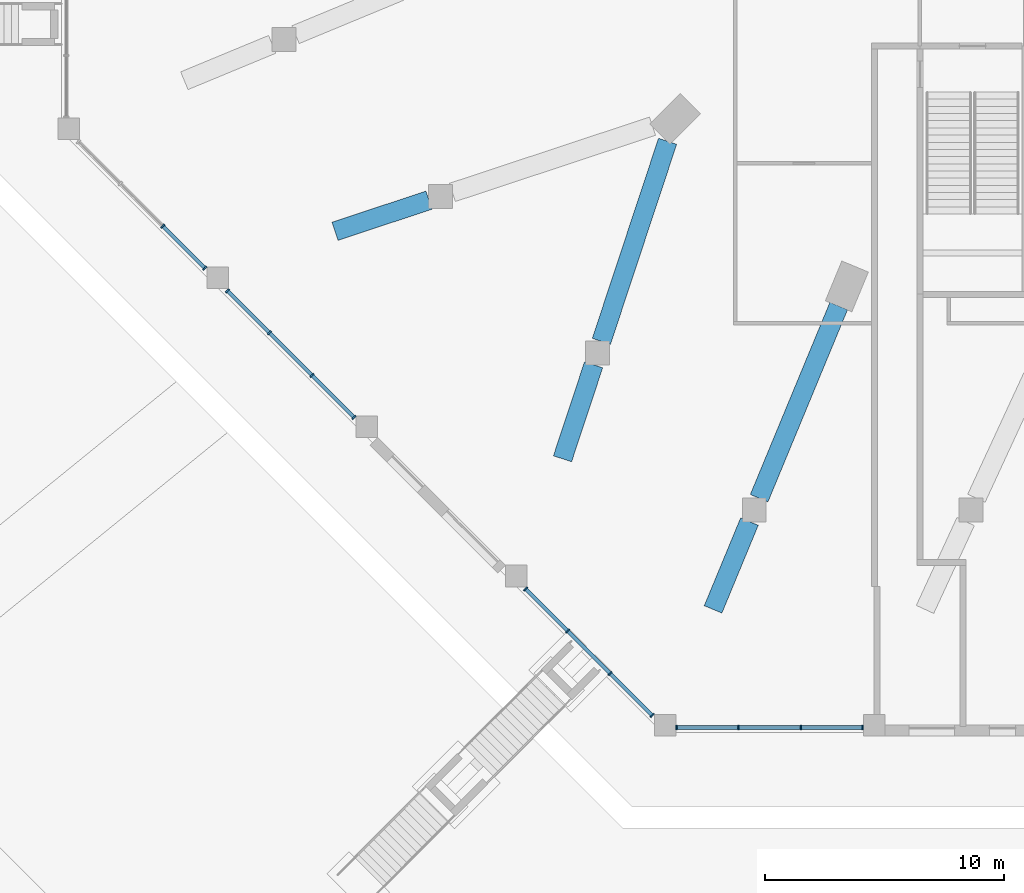
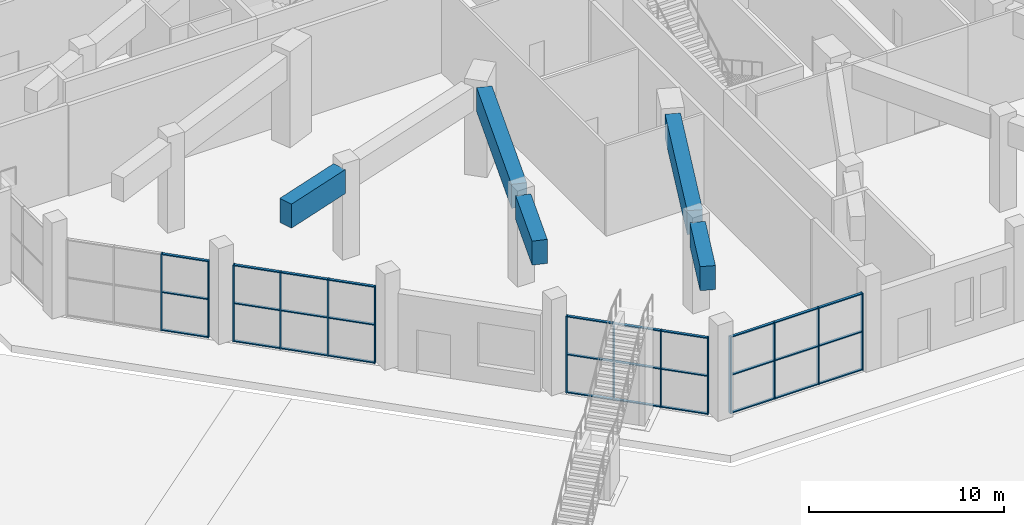
# One storey, part 2 of 36: 44 members, 5 beams, 4 elements without a shape of their own.
"""IFC4 building model written with IfcOpenShell, lengths in metres."""

import ifcopenshell
import ifcopenshell.guid

model = None  # the IFC model being written
_history = None  # IfcOwnerHistory: only IFC2X3 demands one
_inside = {}  # id of a spatial element -> (the spatial element, [elements in it])
_under = {}  # id of a project, library or spatial element -> (it, [spatial elements below it])
_declared = {}  # id of a project -> (the project, [libraries it declares])
_typed = {}  # id of a type object -> (the type object, [elements of that type])
_made_of = {}  # id of a material, layer set ... -> (it, [elements and type objects made of it])


def new_model(schema):
    """Start an empty IFC model of exactly this schema.

    Asked for "IFC4X3", IfcOpenShell would pick the latest addendum, in which some entities
    have other attributes; the version numbers below select the first issue.
    IFC2X3 requires an IfcOwnerHistory on every rooted entity: one is made here for all.
    """
    global model, _history
    if schema == "IFC4X3":
        model = ifcopenshell.file(schema_version=(4, 3, 0, 0))
    else:
        model = ifcopenshell.file(schema=schema)
    _inside.clear()
    _under.clear()
    _declared.clear()
    _typed.clear()
    _made_of.clear()
    _history = None
    if model.schema == "IFC2X3":
        org = make("IfcOrganization", Name="unknown")
        user = make(
            "IfcPersonAndOrganization",
            ThePerson=make("IfcPerson", FamilyName="unknown"),
            TheOrganization=org,
        )
        app = make(
            "IfcApplication",
            ApplicationDeveloper=org,
            Version="unknown",
            ApplicationFullName="unknown",
            ApplicationIdentifier="unknown",
        )
        _history = make(
            "IfcOwnerHistory",
            OwningUser=user,
            OwningApplication=app,
            ChangeAction="ADDED",
            CreationDate=0,
        )
    return model


def make(cls, **values):
    """One entity of the class cls with the attributes given. An attribute that is None is left unset."""
    return model.create_entity(
        cls, **{name: value for name, value in values.items() if value is not None}
    )


def rooted(cls, **values):
    """An entity with a GlobalId (a new one), such as an element, a storey or a relation."""
    return make(cls, GlobalId=ifcopenshell.guid.new(), OwnerHistory=_history, **values)


def si_unit(unit_type, name, prefix=None):
    """IfcSIUnit, for example si_unit("LENGTHUNIT", "METRE", prefix="MILLI")."""
    return make("IfcSIUnit", UnitType=unit_type, Prefix=prefix, Name=name)


def assignment(units):
    """IfcUnitAssignment: the units of a project."""
    return None if units is None else make("IfcUnitAssignment", Units=units)


def point(xyz):
    """IfcCartesianPoint."""
    return None if xyz is None else make("IfcCartesianPoint", Coordinates=xyz)


def direction(xyz):
    """IfcDirection."""
    return None if xyz is None else make("IfcDirection", DirectionRatios=xyz)


def frame(location, z_axis=None, x_axis=None):
    """IfcAxis2Placement3D, a coordinate frame: its origin and axes. An axis left out is left unset."""
    return make(
        "IfcAxis2Placement3D",
        Location=point(location),
        Axis=direction(z_axis),
        RefDirection=direction(x_axis),
    )


def frame_2d(location, x_axis=None):
    """IfcAxis2Placement2D, a coordinate frame in the plane: its origin and x axis."""
    return make(
        "IfcAxis2Placement2D", Location=point(location), RefDirection=direction(x_axis)
    )


def origin():
    """The frame at (0, 0, 0) with its axes left unset."""
    return frame((0.0, 0.0, 0.0))


def origin_2d():
    """The frame at (0, 0) in the plane with its x axis left unset."""
    return frame_2d((0.0, 0.0))


def place(relative_to, where):
    """IfcLocalPlacement: puts the frame where relative to a parent placement (None: the world)."""
    return make(
        "IfcLocalPlacement", PlacementRelTo=relative_to, RelativePlacement=where
    )


def context(
    kind, dimensions, precision=None, world=None, true_north=None, identifier=None
):
    """IfcGeometricRepresentationContext, for example the 3D "Model" context."""
    return make(
        "IfcGeometricRepresentationContext",
        ContextIdentifier=identifier,
        ContextType=kind,
        CoordinateSpaceDimension=dimensions,
        Precision=precision,
        WorldCoordinateSystem=world,
        TrueNorth=true_north,
    )


def subcontext(parent, identifier, kind, view, scale=None):
    """IfcGeometricRepresentationSubContext, for example "Body" below "Model"."""
    return make(
        "IfcGeometricRepresentationSubContext",
        ContextIdentifier=identifier,
        ContextType=kind,
        ParentContext=parent,
        TargetScale=scale,
        TargetView=view,
    )


def project(units=None, contexts=None):
    """IfcProject with its units and contexts."""
    return rooted(
        "IfcProject",
        Name="project",
        RepresentationContexts=contexts,
        UnitsInContext=assignment(units),
    )


def spatial(cls, under=None, at=None, **own):
    """A site, building, storey or space (cls), placed at a placement, below another one or the project."""
    s = rooted(cls, ObjectPlacement=at, **own)
    if under is not None:
        _under.setdefault(under.id(), (under, []))[1].append(s)
    return s


def profile(cls, at=None, kind="AREA", **sizes):
    """A parametric profile (cls). Its sizes go by their IFC names, for example OverallWidth=200.0."""
    return make(cls, ProfileType=kind, Position=at, **sizes)


def rectangle(**sizes):
    """IfcRectangleProfileDef."""
    return profile("IfcRectangleProfileDef", **sizes)


def extrude(swept, where, along, depth):
    """IfcExtrudedAreaSolid: the profile swept, set in the frame where, extruded along a direction by depth."""
    return make(
        "IfcExtrudedAreaSolid",
        SweptArea=swept,
        Position=where,
        ExtrudedDirection=direction(along),
        Depth=depth,
    )


def shape(context_of_items, identifier, shape_type, items):
    """IfcShapeRepresentation: the items that make up one representation, for example the "Body"."""
    return make(
        "IfcShapeRepresentation",
        ContextOfItems=context_of_items,
        RepresentationIdentifier=identifier,
        RepresentationType=shape_type,
        Items=items,
    )


def material(Name=None, Category=None):
    """IfcMaterial."""
    return make("IfcMaterial", Name=Name, Category=Category)


def material_profile(
    of_material, cross_section, Name=None, Category=None, Priority=None
):
    """IfcMaterialProfile: a cross section and its material."""
    return make(
        "IfcMaterialProfile",
        Name=Name,
        Material=of_material,
        Profile=cross_section,
        Priority=Priority,
        Category=Category,
    )


def profile_set(profiles, Name=None, composite=None):
    """IfcMaterialProfileSet."""
    return make(
        "IfcMaterialProfileSet",
        Name=Name,
        MaterialProfiles=profiles,
        CompositeProfile=composite,
    )


def made_of(thing, what):
    """Note that an element or type object is made of a material, layer set ...; save() writes the relation."""
    if what is not None:
        _made_of.setdefault(what.id(), (what, []))[1].append(thing)
    return thing


def type_object(cls, material=None, **own):
    """A type object (cls), such as IfcWallType, which elements share."""
    return made_of(rooted(cls, **own), material)


def element(
    cls,
    number,
    at=None,
    inside=None,
    cuts=None,
    type_object=None,
    material=None,
    context=None,
    identifier="Body",
    shape_type=None,
    held_by="IfcProductDefinitionShape",
    body=None,
    shapes=None,
    **own,
):
    """One element of the class cls, such as IfcWall. Its Tag is "e" and its number.

    at: its placement. inside: the storey or other place that contains it. cuts: it is an
    opening in that element (IfcRelVoidsElement). A single representation is given by context,
    identifier, shape_type and body (its items); several are given by shapes. held_by: the class
    of the entity that holds the representations. save() writes the other relations.
    """
    e = rooted(cls, Tag="e%d" % number, ObjectPlacement=at, **own)
    if body is not None:
        shapes = [shape(context, identifier, shape_type, body)]
    if shapes is not None:
        e.Representation = make(held_by, Representations=shapes)
    if inside is not None:
        _inside.setdefault(inside.id(), (inside, []))[1].append(e)
    if cuts is not None:
        rooted(
            "IfcRelVoidsElement", RelatingBuildingElement=cuts, RelatedOpeningElement=e
        )
    if type_object is not None:
        _typed.setdefault(type_object.id(), (type_object, []))[1].append(e)
    return made_of(e, material)


def aggregate(whole, parts):
    """IfcRelAggregates: a whole, such as a stair, and the parts it consists of."""
    return rooted("IfcRelAggregates", RelatingObject=whole, RelatedObjects=parts)


def save(model, path):
    """Write the relations noted so far, then the file.

    IfcRelAggregates (storeys below a building ...), IfcRelContainedInSpatialStructure (elements
    in a storey), IfcRelDefinesByType, IfcRelAssociatesMaterial and IfcRelDeclares: one each for
    every whole, place, type object, material and project.
    """
    for whole, parts in _under.values():
        aggregate(whole, parts)
    for where, things in _inside.values():
        rooted(
            "IfcRelContainedInSpatialStructure",
            RelatedElements=things,
            RelatingStructure=where,
        )
    for kind, things in _typed.values():
        rooted("IfcRelDefinesByType", RelatedObjects=things, RelatingType=kind)
    for what, things in _made_of.values():
        rooted("IfcRelAssociatesMaterial", RelatedObjects=things, RelatingMaterial=what)
    for by, libraries in _declared.values():
        rooted("IfcRelDeclares", RelatingContext=by, RelatedDefinitions=libraries)
    model.write(path)


model = new_model("IFC4")

# Units and contexts
model_context = context("Model", 3, precision=1e-05, world=origin(), true_north=direction((0.0, 1.0)))
body_context = subcontext(model_context, "Body", "Model", "MODEL_VIEW")
ifc_project = project(units=[si_unit("LENGTHUNIT", "METRE"), si_unit("AREAUNIT", "SQUARE_METRE"), si_unit("VOLUMEUNIT", "CUBIC_METRE"), si_unit("PLANEANGLEUNIT", "RADIAN"), si_unit("MASSUNIT", "GRAM", prefix="KILO")], contexts=[model_context])

# Site, building, storey
site_placement = place(None, origin())
site = spatial("IfcSite", under=ifc_project, at=site_placement, CompositionType="ELEMENT")
building_placement = place(site_placement, origin())
building = spatial("IfcBuilding", under=site, at=building_placement, Name="Msitu Wima Residences", CompositionType="ELEMENT")
storey_placement = place(building_placement, origin())
storey = spatial("IfcBuildingStorey", under=building, at=storey_placement, Name="L00", CompositionType="ELEMENT", Elevation=0.0)

# Curtain wall, members
ifc_material_1 = material(Name="Anodised aluminium, bronze finish, clear laminated low-emissivity double glazing", Category="aluminium")
curtain_wall_type = type_object("IfcCurtainWallType", Name="Curtain wall CW1 shopfront", PredefinedType="NOTDEFINED", material=ifc_material_1)
curtain_wall_1_placement = place(storey_placement, origin())
curtain_wall_1 = element("IfcCurtainWall", 1, at=curtain_wall_1_placement, inside=storey, type_object=curtain_wall_type, Name="Curtain wall CW1 L00 SW0", PredefinedType="NOTDEFINED")
ifc_material_2 = material(Name="Anodised aluminium, bronze finish", Category="aluminium")
ifc_material_profile_1 = material_profile(ifc_material_2, rectangle(XDim=0.199951171875, YDim=0.06494140625, at=origin_2d()), Name="Mullion 65x200")
ifc_profile_set_1 = profile_set([ifc_material_profile_1], Name="Anodised aluminium, bronze finish")
member_type_1 = type_object("IfcMemberType", Name="Mullion CW1 65x200", PredefinedType="MULLION", material=ifc_profile_set_1)
member_1_placement = place(storey_placement, frame((-42.86328125, -25.933837890625, 0.0), z_axis=(0.0, 0.0, 1.0), x_axis=(0.707106781187, 0.707106781187, 0.0)))
member_1 = element("IfcMember", 2, at=member_1_placement, type_object=member_type_1, Name="CW1 mullion 3", PredefinedType="MULLION", context=body_context, shape_type="SweptSolid", body=[
    extrude(rectangle(XDim=0.199951171875, YDim=0.06494140625, at=origin_2d()), origin(), (0.0, 0.0, 1.0), 4.800048828125),
])
member_2_placement = place(storey_placement, frame((-41.107666015625, -27.689697265625, 0.0), z_axis=(0.0, 0.0, 1.0), x_axis=(0.707106781187, 0.707106781187, 0.0)))
member_2 = element("IfcMember", 3, at=member_2_placement, type_object=member_type_1, Name="CW1 mullion 4", PredefinedType="MULLION", context=body_context, shape_type="SweptSolid", body=[
    extrude(rectangle(XDim=0.199951171875, YDim=0.06494140625, at=origin_2d()), origin(), (0.0, 0.0, 1.0), 4.800048828125),
])

curtain_wall_2_placement = place(storey_placement, origin())
curtain_wall_2 = element("IfcCurtainWall", 4, at=curtain_wall_2_placement, inside=storey, type_object=curtain_wall_type, Name="Curtain wall CW1 L00 SW1", PredefinedType="NOTDEFINED")
member_3_placement = place(storey_placement, frame((-40.16162109375, -28.635498046875, 0.0), z_axis=(0.0, 0.0, 1.0), x_axis=(0.707106781187, 0.707106781187, 0.0)))
member_3 = element("IfcMember", 5, at=member_3_placement, type_object=member_type_1, Name="CW1 mullion 1", PredefinedType="MULLION", context=body_context, shape_type="SweptSolid", body=[
    extrude(rectangle(XDim=0.199951171875, YDim=0.06494140625, at=origin_2d()), origin(), (0.0, 0.0, 1.0), 4.800048828125),
])
member_4_placement = place(storey_placement, frame((-38.406005859375, -30.391357421875, 0.0), z_axis=(0.0, 0.0, 1.0), x_axis=(0.707106781187, 0.707106781187, 0.0)))
member_4 = element("IfcMember", 6, at=member_4_placement, type_object=member_type_1, Name="CW1 mullion 2", PredefinedType="MULLION", context=body_context, shape_type="SweptSolid", body=[
    extrude(rectangle(XDim=0.199951171875, YDim=0.06494140625, at=origin_2d()), origin(), (0.0, 0.0, 1.0), 4.800048828125),
])
member_5_placement = place(storey_placement, frame((-36.627197265625, -32.169921875, 0.0), z_axis=(0.0, 0.0, 1.0), x_axis=(0.707106781187, 0.707106781187, 0.0)))
member_5 = element("IfcMember", 7, at=member_5_placement, type_object=member_type_1, Name="CW1 mullion 3", PredefinedType="MULLION", context=body_context, shape_type="SweptSolid", body=[
    extrude(rectangle(XDim=0.199951171875, YDim=0.06494140625, at=origin_2d()), origin(), (0.0, 0.0, 1.0), 4.800048828125),
])
member_6_placement = place(storey_placement, frame((-34.87158203125, -33.925537109375, 0.0), z_axis=(0.0, 0.0, 1.0), x_axis=(0.707106781187, 0.707106781187, 0.0)))
member_6 = element("IfcMember", 8, at=member_6_placement, type_object=member_type_1, Name="CW1 mullion 4", PredefinedType="MULLION", context=body_context, shape_type="SweptSolid", body=[
    extrude(rectangle(XDim=0.199951171875, YDim=0.06494140625, at=origin_2d()), origin(), (0.0, 0.0, 1.0), 4.800048828125),
])

curtain_wall_3_placement = place(storey_placement, origin())
curtain_wall_3 = element("IfcCurtainWall", 9, at=curtain_wall_3_placement, inside=storey, type_object=curtain_wall_type, Name="Curtain wall CW1 L00 SW3", PredefinedType="NOTDEFINED")
member_7_placement = place(storey_placement, frame((-27.689697265625, -41.107666015625, 0.0), z_axis=(0.0, 0.0, 1.0), x_axis=(0.707106714926, 0.707106847447, 0.0)))
member_7 = element("IfcMember", 10, at=member_7_placement, type_object=member_type_1, Name="CW1 mullion 1", PredefinedType="MULLION", context=body_context, shape_type="SweptSolid", body=[
    extrude(rectangle(XDim=0.199951171875, YDim=0.06494140625, at=origin_2d()), origin(), (0.0, 0.0, 1.0), 4.800048828125),
])
member_8_placement = place(storey_placement, frame((-25.933837890625, -42.86328125, 0.0), z_axis=(0.0, 0.0, 1.0), x_axis=(0.707106714926, 0.707106847447, 0.0)))
member_8 = element("IfcMember", 11, at=member_8_placement, type_object=member_type_1, Name="CW1 mullion 2", PredefinedType="MULLION", context=body_context, shape_type="SweptSolid", body=[
    extrude(rectangle(XDim=0.199951171875, YDim=0.06494140625, at=origin_2d()), origin(), (0.0, 0.0, 1.0), 4.800048828125),
])
member_9_placement = place(storey_placement, frame((-24.1552734375, -44.64208984375, 0.0), z_axis=(0.0, 0.0, 1.0), x_axis=(0.707106714926, 0.707106847447, 0.0)))
member_9 = element("IfcMember", 12, at=member_9_placement, type_object=member_type_1, Name="CW1 mullion 3", PredefinedType="MULLION", context=body_context, shape_type="SweptSolid", body=[
    extrude(rectangle(XDim=0.199951171875, YDim=0.06494140625, at=origin_2d()), origin(), (0.0, 0.0, 1.0), 4.800048828125),
])
member_10_placement = place(storey_placement, frame((-22.3994140625, -46.397705078125, 0.0), z_axis=(0.0, 0.0, 1.0), x_axis=(0.707106714926, 0.707106847447, 0.0)))
member_10 = element("IfcMember", 13, at=member_10_placement, type_object=member_type_1, Name="CW1 mullion 4", PredefinedType="MULLION", context=body_context, shape_type="SweptSolid", body=[
    extrude(rectangle(XDim=0.199951171875, YDim=0.06494140625, at=origin_2d()), origin(), (0.0, 0.0, 1.0), 4.800048828125),
])

curtain_wall_4_placement = place(storey_placement, origin())
curtain_wall_4 = element("IfcCurtainWall", 14, at=curtain_wall_4_placement, inside=storey, type_object=curtain_wall_type, Name="Curtain wall CW1 L00 S0", PredefinedType="NOTDEFINED")
member_11_placement = place(storey_placement, frame((-21.373291015625, -46.89990234375, 0.0), z_axis=(0.0, 0.0, 1.0), x_axis=(0.0, 1.0, 0.0)))
member_11 = element("IfcMember", 15, at=member_11_placement, type_object=member_type_1, Name="CW1 mullion 1", PredefinedType="MULLION", context=body_context, shape_type="SweptSolid", body=[
    extrude(rectangle(XDim=0.199951171875, YDim=0.06494140625, at=origin_2d()), origin(), (0.0, 0.0, 1.0), 4.800048828125),
])
member_12_placement = place(storey_placement, frame((-18.791748046875, -46.89990234375, 0.0), z_axis=(0.0, 0.0, 1.0), x_axis=(0.0, 1.0, 0.0)))
member_12 = element("IfcMember", 16, at=member_12_placement, type_object=member_type_1, Name="CW1 mullion 2", PredefinedType="MULLION", context=body_context, shape_type="SweptSolid", body=[
    extrude(rectangle(XDim=0.199951171875, YDim=0.06494140625, at=origin_2d()), origin(), (0.0, 0.0, 1.0), 4.800048828125),
])
member_13_placement = place(storey_placement, frame((-16.177734375, -46.89990234375, 0.0), z_axis=(0.0, 0.0, 1.0), x_axis=(0.0, 1.0, 0.0)))
member_13 = element("IfcMember", 17, at=member_13_placement, type_object=member_type_1, Name="CW1 mullion 3", PredefinedType="MULLION", context=body_context, shape_type="SweptSolid", body=[
    extrude(rectangle(XDim=0.199951171875, YDim=0.06494140625, at=origin_2d()), origin(), (0.0, 0.0, 1.0), 4.800048828125),
])
member_14_placement = place(storey_placement, frame((-13.595947265625, -46.89990234375, 0.0), z_axis=(0.0, 0.0, 1.0), x_axis=(0.0, 1.0, 0.0)))
member_14 = element("IfcMember", 18, at=member_14_placement, type_object=member_type_1, Name="CW1 mullion 4", PredefinedType="MULLION", context=body_context, shape_type="SweptSolid", body=[
    extrude(rectangle(XDim=0.199951171875, YDim=0.06494140625, at=origin_2d()), origin(), (0.0, 0.0, 1.0), 4.800048828125),
])

# Beams
ifc_material_3 = material(Name="Concrete C60/75", Category="concrete")
ifc_material_profile_2 = material_profile(ifc_material_3, rectangle(XDim=0.800048828125, YDim=1.5, at=origin_2d()), Name="RC 800x1500")
ifc_profile_set_2 = profile_set([ifc_material_profile_2], Name="Concrete C60/75")
beam_type_1 = type_object("IfcBeamType", Name="Podium cantilever girder RC 800x1500 Concrete C60/75", PredefinedType="BEAM", material=ifc_profile_set_2)
beam_1_placement = place(storey_placement, frame((-21.753662109375, -22.3857421875, 4.89990234375), z_axis=(-0.314216293001, -0.949351421347, 0.0), x_axis=(0.949351421347, -0.314216293001, 0.0)))
element("IfcBeam", 19, at=beam_1_placement, inside=storey, type_object=beam_type_1, Name="Podium cantilever girder L01 C-SW2 back-span", PredefinedType="BEAM", context=body_context, shape_type="SweptSolid", body=[
    extrude(rectangle(XDim=0.800048828125, YDim=1.5, at=origin_2d()), origin(), (0.0, 0.0, 1.0), 8.81494140625),
])
beam_2_placement = place(storey_placement, frame((-14.5966796875, -29.274658203125, 4.89990234375), z_axis=(-0.382667433171, -0.923886159432, 0.0), x_axis=(0.923886159432, -0.382667433171, 0.0)))
element("IfcBeam", 20, at=beam_2_placement, inside=storey, type_object=beam_type_1, Name="Podium cantilever girder L01 C-S0 back-span", PredefinedType="BEAM", context=body_context, shape_type="SweptSolid", body=[
    extrude(rectangle(XDim=0.800048828125, YDim=1.5, at=origin_2d()), origin(), (0.0, 0.0, 1.0), 8.698486328125),
])
ifc_material_profile_3 = material_profile(ifc_material_3, rectangle(XDim=0.800048828125, YDim=1.5, at=origin_2d()), Name="RC 800x1500")
ifc_profile_set_3 = profile_set([ifc_material_profile_3], Name="Concrete C60/75")
beam_type_2 = type_object("IfcBeamType", Name="Podium cantilever girder tip RC 800x1500 Concrete C60/75", PredefinedType="BEAM", material=ifc_profile_set_3)
for number, where, z_axis, x_axis, name in (
    (21, (-31.731201171875, -24.846923828125, 4.89990234375), (-0.949335494169, -0.314264410189, 0.0), (0.314264410189, -0.949335494169, 0.0), "Podium cantilever girder L01 C-SW1 cantilever"),
    (22, (-24.846923828125, -31.731201171875, 4.89990234375), (-0.314264410189, -0.949335494169, 0.0), (0.949335494169, -0.314264410189, 0.0), "Podium cantilever girder L01 C-SW2 cantilever"),
):
    element("IfcBeam", number, at=place(storey_placement, frame(where, z_axis=z_axis, x_axis=x_axis)), inside=storey, type_object=beam_type_2, Name=name, PredefinedType="BEAM", context=body_context, shape_type="SweptSolid", body=[
        extrude(rectangle(XDim=0.800048828125, YDim=1.5, at=origin_2d()), origin(), (0.0, 0.0, 1.0), 4.142333984375),
    ])
beam_3_placement = place(storey_placement, frame((-18.330322265625, -38.288818359375, 4.89990234375), z_axis=(-0.382704380924, -0.923870855056, 0.0), x_axis=(0.923870855056, -0.382704380924, 0.0)))
element("IfcBeam", 23, at=beam_3_placement, inside=storey, type_object=beam_type_2, Name="Podium cantilever girder L01 C-S0 cantilever", PredefinedType="BEAM", context=body_context, shape_type="SweptSolid", body=[
    extrude(rectangle(XDim=0.800048828125, YDim=1.5, at=origin_2d()), origin(), (0.0, 0.0, 1.0), 3.974853515625),
])

# Member
ifc_material_profile_4 = material_profile(ifc_material_2, rectangle(XDim=0.14990234375, YDim=0.06494140625, at=origin_2d()), Name="Transom 65x150")
ifc_profile_set_4 = profile_set([ifc_material_profile_4], Name="Anodised aluminium, bronze finish")
member_type_2 = type_object("IfcMemberType", Name="Transom CW1 65x150", PredefinedType="USERDEFINED", material=ifc_profile_set_4)
member_15_placement = place(storey_placement, frame((-42.84033203125, -25.956787109375, 0.032470703125), z_axis=(0.707056296999, -0.70715726177, 0.0), x_axis=(0.70715726177, 0.707056296999, 0.0)))
member_15 = element("IfcMember", 24, at=member_15_placement, type_object=member_type_2, Name="CW1 transom 3.1", ObjectType="TRANSOM", PredefinedType="USERDEFINED", context=body_context, shape_type="SweptSolid", body=[
    extrude(rectangle(XDim=0.14990234375, YDim=0.06494140625, at=origin_2d()), origin(), (0.0, 0.0, 1.0), 2.41796875),
])

member_16_placement = place(storey_placement, frame((-42.84033203125, -25.956787109375, 2.39990234375), z_axis=(0.707056296999, -0.70715726177, 0.0), x_axis=(0.70715726177, 0.707056296999, 0.0)))
member_16 = element("IfcMember", 25, at=member_16_placement, type_object=member_type_2, Name="CW1 transom 3.2", ObjectType="TRANSOM", PredefinedType="USERDEFINED", context=body_context, shape_type="SweptSolid", body=[
    extrude(rectangle(XDim=0.14990234375, YDim=0.06494140625, at=origin_2d()), origin(), (0.0, 0.0, 1.0), 2.41796875),
])

member_17_placement = place(storey_placement, frame((-42.84033203125, -25.956787109375, 4.767578125), z_axis=(0.707056296999, -0.70715726177, 0.0), x_axis=(0.70715726177, 0.707056296999, 0.0)))
member_17 = element("IfcMember", 26, at=member_17_placement, type_object=member_type_2, Name="CW1 transom 3.3", ObjectType="TRANSOM", PredefinedType="USERDEFINED", context=body_context, shape_type="SweptSolid", body=[
    extrude(rectangle(XDim=0.14990234375, YDim=0.06494140625, at=origin_2d()), origin(), (0.0, 0.0, 1.0), 2.41796875),
])

aggregate(curtain_wall_1, [member_1, member_2, member_15, member_16, member_17])

member_18_placement = place(storey_placement, frame((-40.138671875, -28.658447265625, 0.032470703125), z_axis=(0.707056296999, -0.70715726177, 0.0), x_axis=(0.70715726177, 0.707056296999, 0.0)))
member_18 = element("IfcMember", 27, at=member_18_placement, type_object=member_type_2, Name="CW1 transom 1.1", ObjectType="TRANSOM", PredefinedType="USERDEFINED", context=body_context, shape_type="SweptSolid", body=[
    extrude(rectangle(XDim=0.14990234375, YDim=0.06494140625, at=origin_2d()), origin(), (0.0, 0.0, 1.0), 2.41796875),
])

member_19_placement = place(storey_placement, frame((-40.138671875, -28.658447265625, 2.39990234375), z_axis=(0.707056296999, -0.70715726177, 0.0), x_axis=(0.70715726177, 0.707056296999, 0.0)))
member_19 = element("IfcMember", 28, at=member_19_placement, type_object=member_type_2, Name="CW1 transom 1.2", ObjectType="TRANSOM", PredefinedType="USERDEFINED", context=body_context, shape_type="SweptSolid", body=[
    extrude(rectangle(XDim=0.14990234375, YDim=0.06494140625, at=origin_2d()), origin(), (0.0, 0.0, 1.0), 2.41796875),
])

member_20_placement = place(storey_placement, frame((-40.138671875, -28.658447265625, 4.767578125), z_axis=(0.707056296999, -0.70715726177, 0.0), x_axis=(0.70715726177, 0.707056296999, 0.0)))
member_20 = element("IfcMember", 29, at=member_20_placement, type_object=member_type_2, Name="CW1 transom 1.3", ObjectType="TRANSOM", PredefinedType="USERDEFINED", context=body_context, shape_type="SweptSolid", body=[
    extrude(rectangle(XDim=0.14990234375, YDim=0.06494140625, at=origin_2d()), origin(), (0.0, 0.0, 1.0), 2.41796875),
])

member_21_placement = place(storey_placement, frame((-38.383056640625, -30.414306640625, 0.032470703125), z_axis=(0.707106781187, -0.707106781187, 0.0), x_axis=(0.707106781187, 0.707106781187, 0.0)))
member_21 = element("IfcMember", 30, at=member_21_placement, type_object=member_type_2, Name="CW1 transom 2.1", ObjectType="TRANSOM", PredefinedType="USERDEFINED", context=body_context, shape_type="SweptSolid", body=[
    extrude(rectangle(XDim=0.14990234375, YDim=0.06494140625, at=origin_2d()), origin(), (0.0, 0.0, 1.0), 2.450439453125),
])

member_22_placement = place(storey_placement, frame((-38.383056640625, -30.414306640625, 2.39990234375), z_axis=(0.707106781187, -0.707106781187, 0.0), x_axis=(0.707106781187, 0.707106781187, 0.0)))
member_22 = element("IfcMember", 31, at=member_22_placement, type_object=member_type_2, Name="CW1 transom 2.2", ObjectType="TRANSOM", PredefinedType="USERDEFINED", context=body_context, shape_type="SweptSolid", body=[
    extrude(rectangle(XDim=0.14990234375, YDim=0.06494140625, at=origin_2d()), origin(), (0.0, 0.0, 1.0), 2.450439453125),
])

member_23_placement = place(storey_placement, frame((-38.383056640625, -30.414306640625, 4.767578125), z_axis=(0.707106781187, -0.707106781187, 0.0), x_axis=(0.707106781187, 0.707106781187, 0.0)))
member_23 = element("IfcMember", 32, at=member_23_placement, type_object=member_type_2, Name="CW1 transom 2.3", ObjectType="TRANSOM", PredefinedType="USERDEFINED", context=body_context, shape_type="SweptSolid", body=[
    extrude(rectangle(XDim=0.14990234375, YDim=0.06494140625, at=origin_2d()), origin(), (0.0, 0.0, 1.0), 2.450439453125),
])

member_24_placement = place(storey_placement, frame((-36.604248046875, -32.19287109375, 0.032470703125), z_axis=(0.707106781187, -0.707106781187, 0.0), x_axis=(0.707106781187, 0.707106781187, 0.0)))
member_24 = element("IfcMember", 33, at=member_24_placement, type_object=member_type_2, Name="CW1 transom 3.1", ObjectType="TRANSOM", PredefinedType="USERDEFINED", context=body_context, shape_type="SweptSolid", body=[
    extrude(rectangle(XDim=0.14990234375, YDim=0.06494140625, at=origin_2d()), origin(), (0.0, 0.0, 1.0), 2.41796875),
])

member_25_placement = place(storey_placement, frame((-36.604248046875, -32.19287109375, 2.39990234375), z_axis=(0.707106781187, -0.707106781187, 0.0), x_axis=(0.707106781187, 0.707106781187, 0.0)))
member_25 = element("IfcMember", 34, at=member_25_placement, type_object=member_type_2, Name="CW1 transom 3.2", ObjectType="TRANSOM", PredefinedType="USERDEFINED", context=body_context, shape_type="SweptSolid", body=[
    extrude(rectangle(XDim=0.14990234375, YDim=0.06494140625, at=origin_2d()), origin(), (0.0, 0.0, 1.0), 2.41796875),
])

member_26_placement = place(storey_placement, frame((-36.604248046875, -32.19287109375, 4.767578125), z_axis=(0.707106781187, -0.707106781187, 0.0), x_axis=(0.707106781187, 0.707106781187, 0.0)))
member_26 = element("IfcMember", 35, at=member_26_placement, type_object=member_type_2, Name="CW1 transom 3.3", ObjectType="TRANSOM", PredefinedType="USERDEFINED", context=body_context, shape_type="SweptSolid", body=[
    extrude(rectangle(XDim=0.14990234375, YDim=0.06494140625, at=origin_2d()), origin(), (0.0, 0.0, 1.0), 2.41796875),
])

aggregate(curtain_wall_2, [member_3, member_4, member_5, member_6, member_18, member_19, member_20, member_21, member_22, member_23, member_24, member_25, member_26])

member_27_placement = place(storey_placement, frame((-27.666748046875, -41.130615234375, 0.032470703125), z_axis=(0.70715726177, -0.707056296999, 0.0), x_axis=(0.707056296999, 0.70715726177, 0.0)))
member_27 = element("IfcMember", 36, at=member_27_placement, type_object=member_type_2, Name="CW1 transom 1.1", ObjectType="TRANSOM", PredefinedType="USERDEFINED", context=body_context, shape_type="SweptSolid", body=[
    extrude(rectangle(XDim=0.14990234375, YDim=0.06494140625, at=origin_2d()), origin(), (0.0, 0.0, 1.0), 2.41796875),
])

member_28_placement = place(storey_placement, frame((-27.666748046875, -41.130615234375, 2.39990234375), z_axis=(0.70715726177, -0.707056296999, 0.0), x_axis=(0.707056296999, 0.70715726177, 0.0)))
member_28 = element("IfcMember", 37, at=member_28_placement, type_object=member_type_2, Name="CW1 transom 1.2", ObjectType="TRANSOM", PredefinedType="USERDEFINED", context=body_context, shape_type="SweptSolid", body=[
    extrude(rectangle(XDim=0.14990234375, YDim=0.06494140625, at=origin_2d()), origin(), (0.0, 0.0, 1.0), 2.41796875),
])

member_29_placement = place(storey_placement, frame((-27.666748046875, -41.130615234375, 4.767578125), z_axis=(0.70715726177, -0.707056296999, 0.0), x_axis=(0.707056296999, 0.70715726177, 0.0)))
member_29 = element("IfcMember", 38, at=member_29_placement, type_object=member_type_2, Name="CW1 transom 1.3", ObjectType="TRANSOM", PredefinedType="USERDEFINED", context=body_context, shape_type="SweptSolid", body=[
    extrude(rectangle(XDim=0.14990234375, YDim=0.06494140625, at=origin_2d()), origin(), (0.0, 0.0, 1.0), 2.41796875),
])

member_30_placement = place(storey_placement, frame((-25.910888671875, -42.88623046875, 0.032470703125), z_axis=(0.70705696564, -0.707156593224, 0.0), x_axis=(0.707156593224, 0.70705696564, 0.0)))
member_30 = element("IfcMember", 39, at=member_30_placement, type_object=member_type_2, Name="CW1 transom 2.1", ObjectType="TRANSOM", PredefinedType="USERDEFINED", context=body_context, shape_type="SweptSolid", body=[
    extrude(rectangle(XDim=0.14990234375, YDim=0.06494140625, at=origin_2d()), origin(), (0.0, 0.0, 1.0), 2.450439453125),
])

member_31_placement = place(storey_placement, frame((-25.910888671875, -42.88623046875, 2.39990234375), z_axis=(0.70705696564, -0.707156593224, 0.0), x_axis=(0.707156593224, 0.70705696564, 0.0)))
member_31 = element("IfcMember", 40, at=member_31_placement, type_object=member_type_2, Name="CW1 transom 2.2", ObjectType="TRANSOM", PredefinedType="USERDEFINED", context=body_context, shape_type="SweptSolid", body=[
    extrude(rectangle(XDim=0.14990234375, YDim=0.06494140625, at=origin_2d()), origin(), (0.0, 0.0, 1.0), 2.450439453125),
])

member_32_placement = place(storey_placement, frame((-25.910888671875, -42.88623046875, 4.767578125), z_axis=(0.70705696564, -0.707156593224, 0.0), x_axis=(0.707156593224, 0.70705696564, 0.0)))
member_32 = element("IfcMember", 41, at=member_32_placement, type_object=member_type_2, Name="CW1 transom 2.3", ObjectType="TRANSOM", PredefinedType="USERDEFINED", context=body_context, shape_type="SweptSolid", body=[
    extrude(rectangle(XDim=0.14990234375, YDim=0.06494140625, at=origin_2d()), origin(), (0.0, 0.0, 1.0), 2.450439453125),
])

member_33_placement = place(storey_placement, frame((-24.13232421875, -44.6650390625, 0.032470703125), z_axis=(0.707106781187, -0.707106781187, 0.0), x_axis=(0.707106781187, 0.707106781187, 0.0)))
member_33 = element("IfcMember", 42, at=member_33_placement, type_object=member_type_2, Name="CW1 transom 3.1", ObjectType="TRANSOM", PredefinedType="USERDEFINED", context=body_context, shape_type="SweptSolid", body=[
    extrude(rectangle(XDim=0.14990234375, YDim=0.06494140625, at=origin_2d()), origin(), (0.0, 0.0, 1.0), 2.41796875),
])

member_34_placement = place(storey_placement, frame((-24.13232421875, -44.6650390625, 2.39990234375), z_axis=(0.707106781187, -0.707106781187, 0.0), x_axis=(0.707106781187, 0.707106781187, 0.0)))
member_34 = element("IfcMember", 43, at=member_34_placement, type_object=member_type_2, Name="CW1 transom 3.2", ObjectType="TRANSOM", PredefinedType="USERDEFINED", context=body_context, shape_type="SweptSolid", body=[
    extrude(rectangle(XDim=0.14990234375, YDim=0.06494140625, at=origin_2d()), origin(), (0.0, 0.0, 1.0), 2.41796875),
])

member_35_placement = place(storey_placement, frame((-24.13232421875, -44.6650390625, 4.767578125), z_axis=(0.707106781187, -0.707106781187, 0.0), x_axis=(0.707106781187, 0.707106781187, 0.0)))
member_35 = element("IfcMember", 44, at=member_35_placement, type_object=member_type_2, Name="CW1 transom 3.3", ObjectType="TRANSOM", PredefinedType="USERDEFINED", context=body_context, shape_type="SweptSolid", body=[
    extrude(rectangle(XDim=0.14990234375, YDim=0.06494140625, at=origin_2d()), origin(), (0.0, 0.0, 1.0), 2.41796875),
])

aggregate(curtain_wall_3, [member_7, member_8, member_9, member_10, member_27, member_28, member_29, member_30, member_31, member_32, member_33, member_34, member_35])

member_36_placement = place(storey_placement, frame((-21.3408203125, -46.89990234375, 0.032470703125), z_axis=(1.0, 0.0, 0.0), x_axis=(0.0, 1.0, 0.0)))
member_36 = element("IfcMember", 45, at=member_36_placement, type_object=member_type_2, Name="CW1 transom 1.1", ObjectType="TRANSOM", PredefinedType="USERDEFINED", context=body_context, shape_type="SweptSolid", body=[
    extrude(rectangle(XDim=0.14990234375, YDim=0.06494140625, at=origin_2d()), origin(), (0.0, 0.0, 1.0), 2.5166015625),
])

member_37_placement = place(storey_placement, frame((-21.3408203125, -46.89990234375, 2.39990234375), z_axis=(1.0, 0.0, 0.0), x_axis=(0.0, 1.0, 0.0)))
member_37 = element("IfcMember", 46, at=member_37_placement, type_object=member_type_2, Name="CW1 transom 1.2", ObjectType="TRANSOM", PredefinedType="USERDEFINED", context=body_context, shape_type="SweptSolid", body=[
    extrude(rectangle(XDim=0.14990234375, YDim=0.06494140625, at=origin_2d()), origin(), (0.0, 0.0, 1.0), 2.5166015625),
])

member_38_placement = place(storey_placement, frame((-21.3408203125, -46.89990234375, 4.767578125), z_axis=(1.0, 0.0, 0.0), x_axis=(0.0, 1.0, 0.0)))
member_38 = element("IfcMember", 47, at=member_38_placement, type_object=member_type_2, Name="CW1 transom 1.3", ObjectType="TRANSOM", PredefinedType="USERDEFINED", context=body_context, shape_type="SweptSolid", body=[
    extrude(rectangle(XDim=0.14990234375, YDim=0.06494140625, at=origin_2d()), origin(), (0.0, 0.0, 1.0), 2.5166015625),
])

member_39_placement = place(storey_placement, frame((-18.75927734375, -46.89990234375, 0.032470703125), z_axis=(1.0, 0.0, 0.0), x_axis=(0.0, 1.0, 0.0)))
member_39 = element("IfcMember", 48, at=member_39_placement, type_object=member_type_2, Name="CW1 transom 2.1", ObjectType="TRANSOM", PredefinedType="USERDEFINED", context=body_context, shape_type="SweptSolid", body=[
    extrude(rectangle(XDim=0.14990234375, YDim=0.06494140625, at=origin_2d()), origin(), (0.0, 0.0, 1.0), 2.549072265625),
])

member_40_placement = place(storey_placement, frame((-18.75927734375, -46.89990234375, 2.39990234375), z_axis=(1.0, 0.0, 0.0), x_axis=(0.0, 1.0, 0.0)))
member_40 = element("IfcMember", 49, at=member_40_placement, type_object=member_type_2, Name="CW1 transom 2.2", ObjectType="TRANSOM", PredefinedType="USERDEFINED", context=body_context, shape_type="SweptSolid", body=[
    extrude(rectangle(XDim=0.14990234375, YDim=0.06494140625, at=origin_2d()), origin(), (0.0, 0.0, 1.0), 2.549072265625),
])

member_41_placement = place(storey_placement, frame((-18.75927734375, -46.89990234375, 4.767578125), z_axis=(1.0, 0.0, 0.0), x_axis=(0.0, 1.0, 0.0)))
member_41 = element("IfcMember", 50, at=member_41_placement, type_object=member_type_2, Name="CW1 transom 2.3", ObjectType="TRANSOM", PredefinedType="USERDEFINED", context=body_context, shape_type="SweptSolid", body=[
    extrude(rectangle(XDim=0.14990234375, YDim=0.06494140625, at=origin_2d()), origin(), (0.0, 0.0, 1.0), 2.549072265625),
])

member_42_placement = place(storey_placement, frame((-16.14501953125, -46.89990234375, 0.032470703125), z_axis=(1.0, 0.0, 0.0), x_axis=(0.0, 1.0, 0.0)))
member_42 = element("IfcMember", 51, at=member_42_placement, type_object=member_type_2, Name="CW1 transom 3.1", ObjectType="TRANSOM", PredefinedType="USERDEFINED", context=body_context, shape_type="SweptSolid", body=[
    extrude(rectangle(XDim=0.14990234375, YDim=0.06494140625, at=origin_2d()), origin(), (0.0, 0.0, 1.0), 2.5166015625),
])

member_43_placement = place(storey_placement, frame((-16.14501953125, -46.89990234375, 2.39990234375), z_axis=(1.0, 0.0, 0.0), x_axis=(0.0, 1.0, 0.0)))
member_43 = element("IfcMember", 52, at=member_43_placement, type_object=member_type_2, Name="CW1 transom 3.2", ObjectType="TRANSOM", PredefinedType="USERDEFINED", context=body_context, shape_type="SweptSolid", body=[
    extrude(rectangle(XDim=0.14990234375, YDim=0.06494140625, at=origin_2d()), origin(), (0.0, 0.0, 1.0), 2.5166015625),
])

member_44_placement = place(storey_placement, frame((-16.14501953125, -46.89990234375, 4.767578125), z_axis=(1.0, 0.0, 0.0), x_axis=(0.0, 1.0, 0.0)))
member_44 = element("IfcMember", 53, at=member_44_placement, type_object=member_type_2, Name="CW1 transom 3.3", ObjectType="TRANSOM", PredefinedType="USERDEFINED", context=body_context, shape_type="SweptSolid", body=[
    extrude(rectangle(XDim=0.14990234375, YDim=0.06494140625, at=origin_2d()), origin(), (0.0, 0.0, 1.0), 2.5166015625),
])

aggregate(curtain_wall_4, [member_11, member_12, member_13, member_14, member_36, member_37, member_38, member_39, member_40, member_41, member_42, member_43, member_44])

save(model, "model.ifc")
